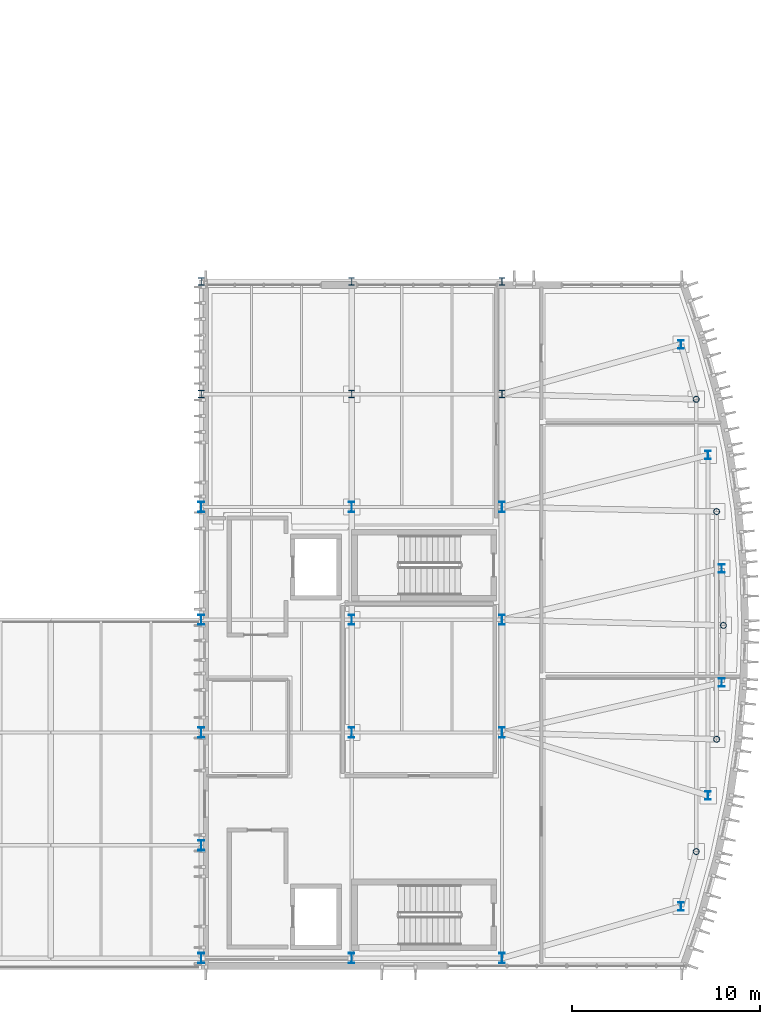
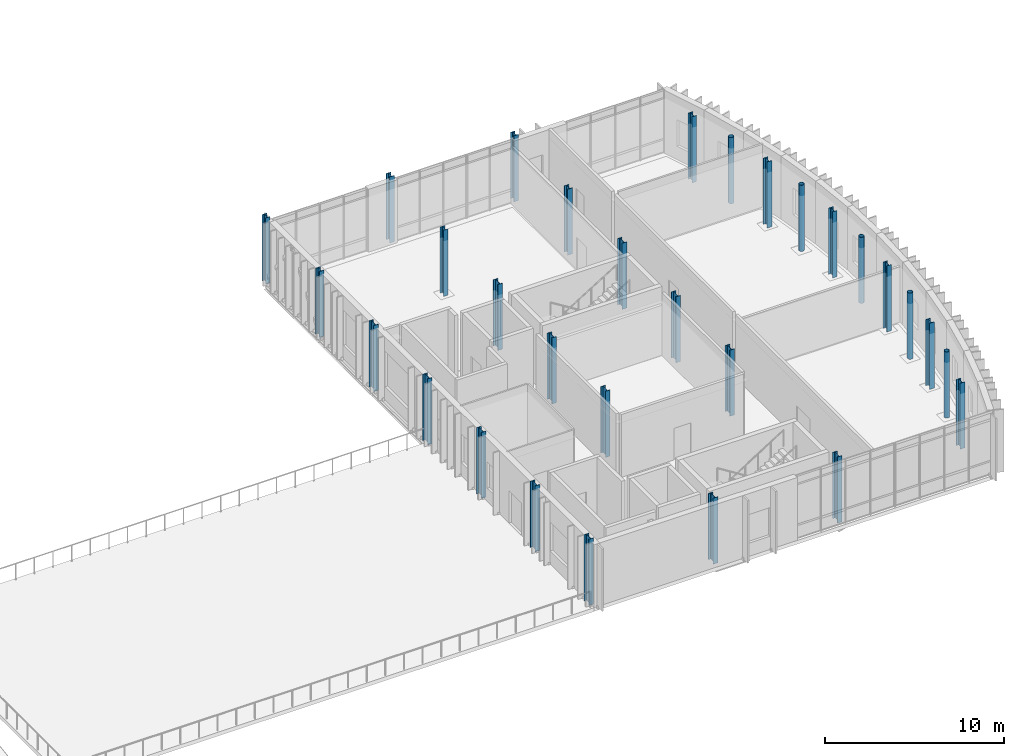
# One storey, part 5 of 62: 30 columns.
"""IFC4 building model written with IfcOpenShell, lengths in metres."""

from ifc_helpers import new_model, si_unit, direction, frame, origin, origin_2d, place, context, subcontext, project, spatial, hollow_circle, i_section, extrude, material, material_profile, profile_set, type_object, element, save


model = new_model("IFC4")

# Units and contexts
model_context = context("Model", 3, precision=1e-05, world=origin(), true_north=direction((0.0, 1.0)))
body_context = subcontext(model_context, "Body", "Model", "MODEL_VIEW")
ifc_project = project(units=[si_unit("LENGTHUNIT", "METRE"), si_unit("AREAUNIT", "SQUARE_METRE"), si_unit("VOLUMEUNIT", "CUBIC_METRE"), si_unit("PLANEANGLEUNIT", "RADIAN"), si_unit("MASSUNIT", "GRAM", prefix="KILO")], contexts=[model_context])

# Site, building, storey
site_placement = place(None, origin())
site = spatial("IfcSite", under=ifc_project, at=site_placement, CompositionType="ELEMENT")
building_placement = place(site_placement, origin())
building = spatial("IfcBuilding", under=site, at=building_placement, Name="Cymarion Research Institute", CompositionType="ELEMENT")
storey_placement = place(building_placement, frame((0.0, 0.0, 18.300048828125)))
storey = spatial("IfcBuildingStorey", under=building, at=storey_placement, Name="L04", CompositionType="ELEMENT", Elevation=18.300048828125)

# Columns
ifc_material = material(Name="Steel S355", Category="steel")
ifc_material_profile_1 = material_profile(ifc_material, i_section(OverallWidth=0.300048828125, OverallDepth=0.550048828125, WebThickness=0.014892578125, FlangeThickness=0.029052734375, FilletRadius=0.027099609375, at=origin_2d()), Name="HEB 550")
ifc_profile_set_1 = profile_set([ifc_material_profile_1], Name="Steel S355")
column_type_1 = type_object("IfcColumnType", Name="STRUCTURAL COLUMN C03 HEB 550", PredefinedType="COLUMN", material=ifc_profile_set_1)
for number, where, z_axis, x_axis, name in (
    (1, (138.60009765625, 5.5, 0.0), (0.0, 0.0, 1.0), (1.0, 0.0, 0.0), "L04 V1 column C03 #1077"),
    (2, (138.60009765625, 11.5, 0.0), (0.0, 0.0, 1.0), (1.0, 0.0, 0.0), "L04 V1 column C03 #1078"),
    (3, (138.60009765625, 17.5, 0.0), (0.0, 0.0, 1.0), (1.0, 0.0, 0.0), "L04 V1 column C03 #1079"),
    (4, (138.60009765625, 23.5, 0.0), (0.0, 0.0, 1.0), (1.0, 0.0, 0.0), "L04 V1 column C03 #1080"),
    (5, (138.60009765625, 29.5, 0.0), (0.0, 0.0, 1.0), (1.0, 0.0, 0.0), "L04 V1 column C03 #1081"),
    (6, (146.60009765625, 5.5, 0.0), (0.0, 0.0, 1.0), (1.0, 0.0, 0.0), "L04 V1 column C03 #1084"),
    (7, (146.60009765625, 17.5, 0.0), (0.0, 0.0, 1.0), (1.0, 0.0, 0.0), "L04 V1 column C03 #1085"),
    (8, (146.60009765625, 23.5, 0.0), (0.0, 0.0, 1.0), (1.0, 0.0, 0.0), "L04 V1 column C03 #1086"),
    (9, (146.60009765625, 29.5, 0.0), (0.0, 0.0, 1.0), (1.0, 0.0, 0.0), "L04 V1 column C03 #1087"),
    (10, (154.60009765625, 5.5, 0.0), (0.0, 0.0, 1.0), (1.0, 0.0, 0.0), "L04 V1 column C03 #1090"),
    (11, (154.60009765625, 17.5, 0.0), (0.0, 0.0, 1.0), (1.0, 0.0, 0.0), "L04 V1 column C03 #1091"),
    (12, (154.60009765625, 23.5, 0.0), (0.0, 0.0, 1.0), (1.0, 0.0, 0.0), "L04 V1 column C03 #1092"),
    (13, (154.60009765625, 29.5, 0.0), (0.0, 0.0, 1.0), (1.0, 0.0, 0.0), "L04 V1 column C03 #1093"),
):
    element("IfcColumn", number, at=place(storey_placement, frame(where, z_axis=z_axis, x_axis=x_axis)), inside=storey, type_object=column_type_1, Name=name, PredefinedType="COLUMN", context=body_context, shape_type="SweptSolid", body=[
        extrude(i_section(OverallWidth=0.300048828125, OverallDepth=0.550048828125, WebThickness=0.014892578125, FlangeThickness=0.029052734375, FilletRadius=0.027099609375, at=origin_2d()), origin(), (0.0, 0.0, 1.0), 4.5),
    ])
ifc_material_profile_2 = material_profile(ifc_material, i_section(OverallWidth=0.300048828125, OverallDepth=0.449951171875, WebThickness=0.013916015625, FlangeThickness=0.02587890625, FilletRadius=0.027099609375, at=origin_2d()), Name="HEB 450")
ifc_profile_set_2 = profile_set([ifc_material_profile_2], Name="Steel S355")
column_type_2 = type_object("IfcColumnType", Name="STRUCTURAL COLUMN C05 HEB 450", PredefinedType="COLUMN", material=ifc_profile_set_2)
for number, where, z_axis, x_axis, name in (
    (14, (164.118896484375, 8.2470703125, 0.0), (0.0, 0.0, 1.0), (1.0, 0.0, 0.0), "L04 V1 column C05 #1096"),
    (15, (164.118896484375, 38.153076171875, 0.0), (0.0, 0.0, 1.0), (1.0, 0.0, 0.0), "L04 V1 column C05 #1097"),
    (16, (165.559814453125, 14.1416015625, 0.0), (0.0, 0.0, 1.0), (1.0, 0.0, 0.0), "L04 V1 column C05 #1100"),
    (17, (165.559814453125, 32.258544921875, 0.0), (0.0, 0.0, 1.0), (1.0, 0.0, 0.0), "L04 V1 column C05 #1101"),
    (18, (166.285400390625, 20.166015625, 0.0), (0.0, 0.0, 1.0), (1.0, 0.0, 0.0), "L04 V1 column C05 #1104"),
    (19, (166.285400390625, 26.23388671875, 0.0), (0.0, 0.0, 1.0), (1.0, 0.0, 0.0), "L04 V1 column C05 #1105"),
):
    element("IfcColumn", number, at=place(storey_placement, frame(where, z_axis=z_axis, x_axis=x_axis)), inside=storey, type_object=column_type_2, Name=name, PredefinedType="COLUMN", context=body_context, shape_type="SweptSolid", body=[
        extrude(i_section(OverallWidth=0.300048828125, OverallDepth=0.449951171875, WebThickness=0.013916015625, FlangeThickness=0.02587890625, FilletRadius=0.027099609375, at=origin_2d()), origin(), (0.0, 0.0, 1.0), 4.5),
    ])
ifc_material_profile_3 = material_profile(ifc_material, i_section(OverallWidth=0.300048828125, OverallDepth=0.39990234375, WebThickness=0.013427734375, FlangeThickness=0.02392578125, FilletRadius=0.027099609375, at=origin_2d()), Name="HEB 400")
ifc_profile_set_3 = profile_set([ifc_material_profile_3], Name="Steel S355")
column_type_3 = type_object("IfcColumnType", Name="STRUCTURAL COLUMN C06 HEB 400", PredefinedType="COLUMN", material=ifc_profile_set_3)
for number, where, z_axis, x_axis, name in (
    (20, (138.60009765625, 35.5, 0.0), (0.0, 0.0, 1.0), (1.0, 0.0, 0.0), "L04 V1 column C06 #1082"),
    (21, (138.60009765625, 41.5, 0.0), (0.0, 0.0, 1.0), (1.0, 0.0, 0.0), "L04 V1 column C06 #1083"),
    (22, (146.60009765625, 35.5, 0.0), (0.0, 0.0, 1.0), (1.0, 0.0, 0.0), "L04 V1 column C06 #1088"),
    (23, (146.60009765625, 41.5, 0.0), (0.0, 0.0, 1.0), (1.0, 0.0, 0.0), "L04 V1 column C06 #1089"),
    (24, (154.60009765625, 35.5, 0.0), (0.0, 0.0, 1.0), (1.0, 0.0, 0.0), "L04 V1 column C06 #1094"),
    (25, (154.60009765625, 41.5, 0.0), (0.0, 0.0, 1.0), (1.0, 0.0, 0.0), "L04 V1 column C06 #1095"),
):
    element("IfcColumn", number, at=place(storey_placement, frame(where, z_axis=z_axis, x_axis=x_axis)), inside=storey, type_object=column_type_3, Name=name, PredefinedType="COLUMN", context=body_context, shape_type="SweptSolid", body=[
        extrude(i_section(OverallWidth=0.300048828125, OverallDepth=0.39990234375, WebThickness=0.013427734375, FlangeThickness=0.02392578125, FilletRadius=0.027099609375, at=origin_2d()), origin(), (0.0, 0.0, 1.0), 4.5),
    ])
ifc_material_profile_4 = material_profile(ifc_material, hollow_circle(Radius=0.161865234375, WallThickness=0.01611328125, at=origin_2d()), Name="CHS 323.9x16")
ifc_profile_set_4 = profile_set([ifc_material_profile_4], Name="Steel S355")
column_type_4 = type_object("IfcColumnType", Name="STRUCTURAL COLUMN C16 CHS 323.9x16", PredefinedType="COLUMN", material=ifc_profile_set_4)
for number, where, z_axis, x_axis, name in (
    (26, (164.927734375, 11.172607421875, 0.0), (0.0, 0.0, 1.0), (1.0, 0.0, 0.0), "L04 V1 column C16 #1098"),
    (27, (164.927734375, 35.227294921875, 0.0), (0.0, 0.0, 1.0), (1.0, 0.0, 0.0), "L04 V1 column C16 #1099"),
    (28, (166.012939453125, 17.142822265625, 0.0), (0.0, 0.0, 1.0), (1.0, 0.0, 0.0), "L04 V1 column C16 #1102"),
    (29, (166.012939453125, 29.257080078125, 0.0), (0.0, 0.0, 1.0), (1.0, 0.0, 0.0), "L04 V1 column C16 #1103"),
    (30, (166.37646484375, 23.199951171875, 0.0), (0.0, 0.0, 1.0), (1.0, 0.0, 0.0), "L04 V1 column C16 #1106"),
):
    element("IfcColumn", number, at=place(storey_placement, frame(where, z_axis=z_axis, x_axis=x_axis)), inside=storey, type_object=column_type_4, Name=name, PredefinedType="COLUMN", context=body_context, shape_type="SweptSolid", body=[
        extrude(hollow_circle(Radius=0.161865234375, WallThickness=0.01611328125, at=origin_2d()), origin(), (0.0, 0.0, 1.0), 4.5),
    ])

save(model, "model.ifc")
